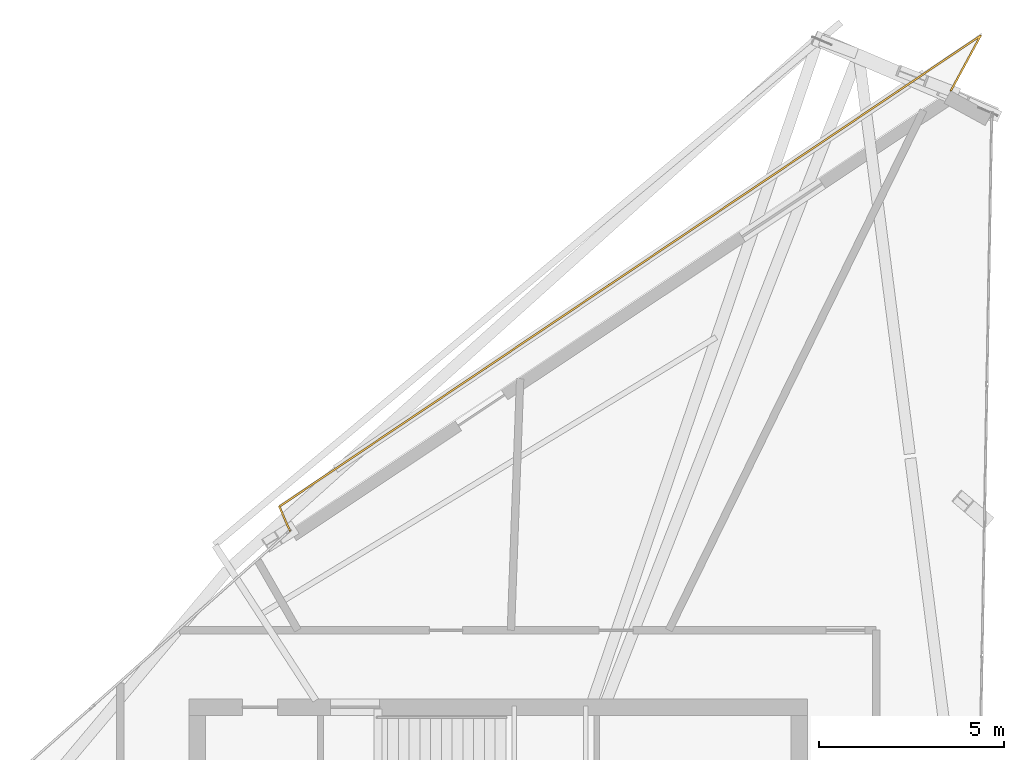
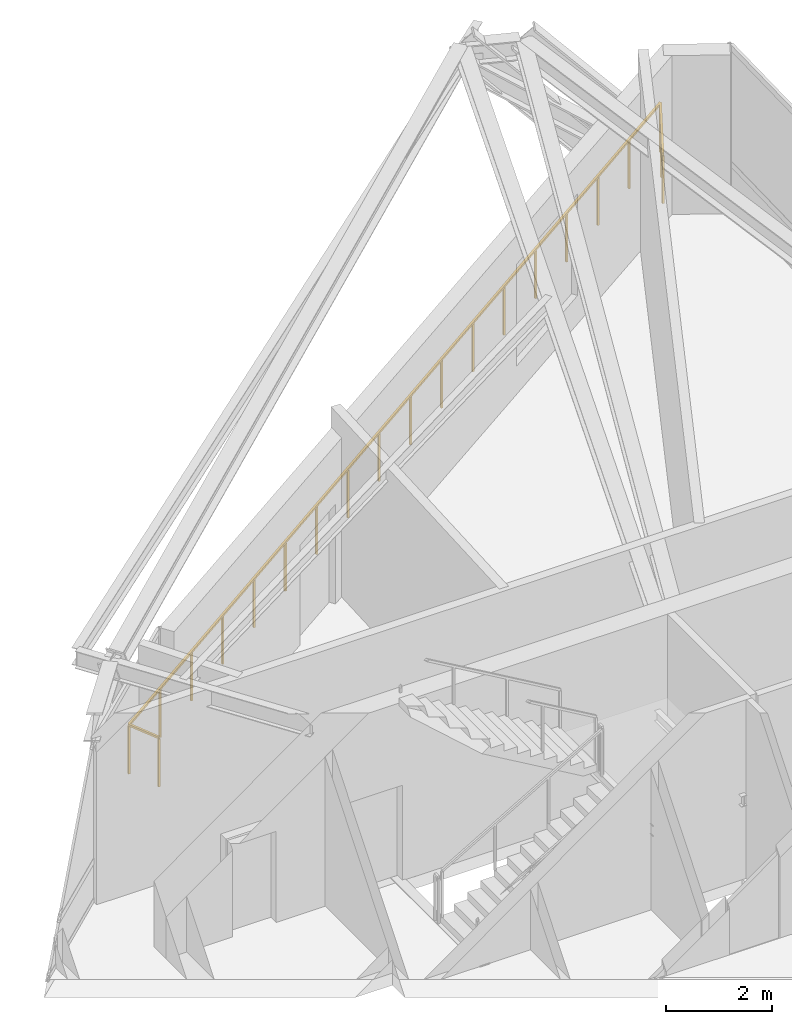
# One storey, part 22 of 22: 1 railing.
"""IFC4 building model written with IfcOpenShell, lengths in metres."""

from ifc_helpers import new_model, si_unit, direction, frame, origin, origin_2d, place, context, subcontext, project, spatial, rectangle, extrude, material, type_object, element, save


model = new_model("IFC4")

# Units and contexts
model_context = context("Model", 3, precision=1e-05, world=origin(), true_north=direction((0.0, 1.0)))
body_context = subcontext(model_context, "Body", "Model", "MODEL_VIEW")
ifc_project = project(units=[si_unit("LENGTHUNIT", "METRE"), si_unit("AREAUNIT", "SQUARE_METRE"), si_unit("VOLUMEUNIT", "CUBIC_METRE"), si_unit("PLANEANGLEUNIT", "RADIAN"), si_unit("MASSUNIT", "GRAM", prefix="KILO")], contexts=[model_context])

# Site, building, storey
site_placement = place(None, origin())
site = spatial("IfcSite", under=ifc_project, at=site_placement, CompositionType="ELEMENT")
building_placement = place(site_placement, origin())
building = spatial("IfcBuilding", under=site, at=building_placement, Name="Olszyna Solenne Hotel", CompositionType="ELEMENT")
storey_placement = place(building_placement, frame((0.0, 0.0, 286.10009765625)))
storey = spatial("IfcBuildingStorey", under=building, at=storey_placement, Name="L76", CompositionType="ELEMENT", Elevation=286.10009765625)

# Railing
ifc_material = material(Name="Anodised bronze aluminium", Category="aluminium")
railing_type = type_object("IfcRailingType", Name="GR-110", PredefinedType="BALUSTRADE", material=ifc_material)
railing_placement = place(storey_placement, frame((50.21630859375, 50.5576171875, 0.0)))
element("IfcRailing", 1, at=railing_placement, inside=storey, type_object=railing_type, Name="Loggia balcony balustrade guard GR-L76-LG1", PredefinedType="BALUSTRADE", context=body_context, shape_type="SweptSolid", body=[
    extrude(rectangle(XDim=0.048095703125, YDim=0.048095703125, at=origin_2d()), frame((0.0, 0.0, 1.1259765625), z_axis=(0.475329896322, 0.879807643557, 0.0), x_axis=(-0.879807643557, 0.475329896322, 0.0)), (0.0, 0.0, 1.0), 1.69189453125),
    extrude(rectangle(XDim=0.048095703125, YDim=0.048095703125, at=origin_2d()), frame((0.80419921875, 1.488525390625, 1.1259765625), z_axis=(-0.830195356796, -0.557472572916, 0.0), x_axis=(0.557472572916, -0.830195356796, 0.0)), (0.0, 0.0, 1.0), 22.796142578125),
    extrude(rectangle(XDim=0.048095703125, YDim=0.048095703125, at=origin_2d()), frame((-18.12109375, -11.2197265625, 1.1259765625), z_axis=(0.396370049726, -0.91809083629, 0.0), x_axis=(0.91809083629, 0.396370049726, 0.0)), (0.0, 0.0, 1.0), 0.708984375),
    extrude(rectangle(XDim=0.0419921875, YDim=0.0419921875, at=origin_2d()), origin(), (0.0, 0.0, 1.0), 1.101806640625),
    extrude(rectangle(XDim=0.0419921875, YDim=0.0419921875, at=origin_2d()), frame((0.402099609375, 0.744140625, 0.0)), (0.0, 0.0, 1.0), 1.101806640625),
    extrude(rectangle(XDim=0.0419921875, YDim=0.0419921875, at=origin_2d()), frame((0.80419921875, 1.488525390625, 0.0)), (0.0, 0.0, 1.0), 1.101806640625),
    extrude(rectangle(XDim=0.0419921875, YDim=0.0419921875, at=origin_2d()), frame((-0.30908203125, 0.740966796875, 0.0)), (0.0, 0.0, 1.0), 1.101806640625),
    extrude(rectangle(XDim=0.0419921875, YDim=0.0419921875, at=origin_2d()), frame((-1.42236328125, -0.006591796875, 0.0)), (0.0, 0.0, 1.0), 1.101806640625),
    extrude(rectangle(XDim=0.0419921875, YDim=0.0419921875, at=origin_2d()), frame((-2.53564453125, -0.754150390625, 0.0)), (0.0, 0.0, 1.0), 1.101806640625),
    extrude(rectangle(XDim=0.0419921875, YDim=0.0419921875, at=origin_2d()), frame((-3.64892578125, -1.501708984375, 0.0)), (0.0, 0.0, 1.0), 1.101806640625),
    extrude(rectangle(XDim=0.0419921875, YDim=0.0419921875, at=origin_2d()), frame((-4.761962890625, -2.249267578125, 0.0)), (0.0, 0.0, 1.0), 1.101806640625),
    extrude(rectangle(XDim=0.0419921875, YDim=0.0419921875, at=origin_2d()), frame((-5.875244140625, -2.996826171875, 0.0)), (0.0, 0.0, 1.0), 1.101806640625),
    extrude(rectangle(XDim=0.0419921875, YDim=0.0419921875, at=origin_2d()), frame((-6.988525390625, -3.744384765625, 0.0)), (0.0, 0.0, 1.0), 1.101806640625),
    extrude(rectangle(XDim=0.0419921875, YDim=0.0419921875, at=origin_2d()), frame((-8.101806640625, -4.491943359375, 0.0)), (0.0, 0.0, 1.0), 1.101806640625),
    extrude(rectangle(XDim=0.0419921875, YDim=0.0419921875, at=origin_2d()), frame((-9.215087890625, -5.2392578125, 0.0)), (0.0, 0.0, 1.0), 1.101806640625),
    extrude(rectangle(XDim=0.0419921875, YDim=0.0419921875, at=origin_2d()), frame((-10.328369140625, -5.98681640625, 0.0)), (0.0, 0.0, 1.0), 1.101806640625),
    extrude(rectangle(XDim=0.0419921875, YDim=0.0419921875, at=origin_2d()), frame((-11.441650390625, -6.734375, 0.0)), (0.0, 0.0, 1.0), 1.101806640625),
    extrude(rectangle(XDim=0.0419921875, YDim=0.0419921875, at=origin_2d()), frame((-12.554931640625, -7.48193359375, 0.0)), (0.0, 0.0, 1.0), 1.101806640625),
    extrude(rectangle(XDim=0.0419921875, YDim=0.0419921875, at=origin_2d()), frame((-13.66796875, -8.2294921875, 0.0)), (0.0, 0.0, 1.0), 1.101806640625),
    extrude(rectangle(XDim=0.0419921875, YDim=0.0419921875, at=origin_2d()), frame((-14.78125, -8.97705078125, 0.0)), (0.0, 0.0, 1.0), 1.101806640625),
    extrude(rectangle(XDim=0.0419921875, YDim=0.0419921875, at=origin_2d()), frame((-15.89453125, -9.724609375, 0.0)), (0.0, 0.0, 1.0), 1.101806640625),
    extrude(rectangle(XDim=0.0419921875, YDim=0.0419921875, at=origin_2d()), frame((-17.0078125, -10.47216796875, 0.0)), (0.0, 0.0, 1.0), 1.101806640625),
    extrude(rectangle(XDim=0.0419921875, YDim=0.0419921875, at=origin_2d()), frame((-18.12109375, -11.2197265625, 0.0)), (0.0, 0.0, 1.0), 1.101806640625),
    extrude(rectangle(XDim=0.0419921875, YDim=0.0419921875, at=origin_2d()), frame((-17.840087890625, -11.87060546875, 0.0)), (0.0, 0.0, 1.0), 1.101806640625),
])

save(model, "model.ifc")
